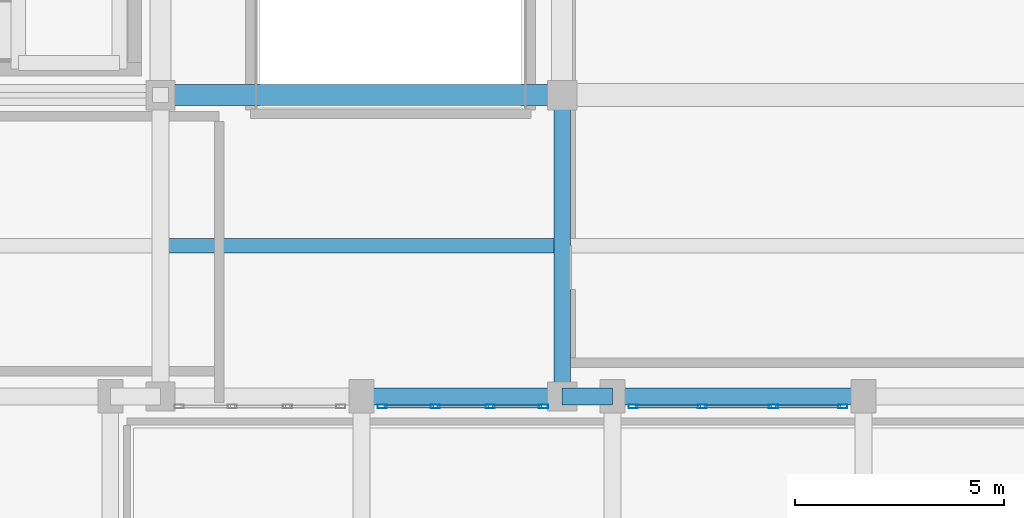
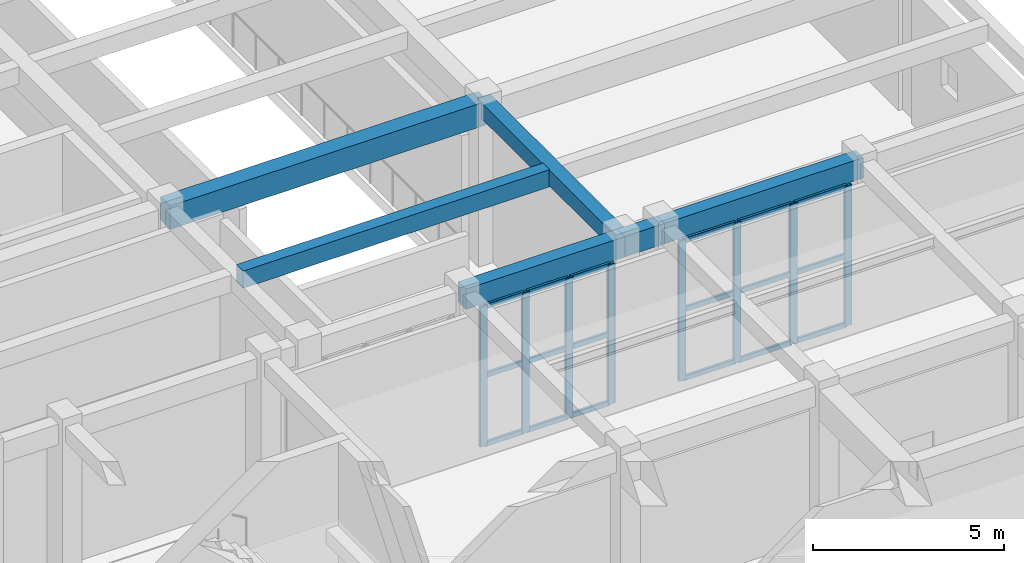
# One storey, part 56 of 98: 26 members, 6 beams, 2 elements without a shape of their own.
"""IFC4 building model written with IfcOpenShell, lengths in metres."""

from ifc_helpers import new_model, si_unit, direction, frame, origin, origin_2d, place, context, subcontext, project, spatial, rectangle, hollow_rectangle, extrude, material, layer, layer_set, material_profile, profile_set, type_object, element, aggregate, save


model = new_model("IFC4")

# Units and contexts
model_context = context("Model", 3, precision=1e-05, world=origin(), true_north=direction((0.0, 1.0)))
body_context = subcontext(model_context, "Body", "Model", "MODEL_VIEW")
ifc_project = project(units=[si_unit("LENGTHUNIT", "METRE"), si_unit("AREAUNIT", "SQUARE_METRE"), si_unit("VOLUMEUNIT", "CUBIC_METRE"), si_unit("PLANEANGLEUNIT", "RADIAN"), si_unit("MASSUNIT", "GRAM", prefix="KILO")], contexts=[model_context])

# Site, building, storey
site_placement = place(None, origin())
site = spatial("IfcSite", under=ifc_project, at=site_placement, CompositionType="ELEMENT")
building_placement = place(site_placement, origin())
building = spatial("IfcBuilding", under=site, at=building_placement, Name="Tarnavel Promenade Courthouse", CompositionType="ELEMENT")
storey_placement = place(building_placement, origin())
storey = spatial("IfcBuildingStorey", under=building, at=storey_placement, Name="L01", CompositionType="ELEMENT", Elevation=0.0)

# Beams
ifc_material_1 = material(Name="Concrete C40/50", Category="concrete")
ifc_material_profile_1 = material_profile(ifc_material_1, rectangle(XDim=0.35009765625, YDim=0.550048828125, at=origin_2d()), Name="PT 350x550")
ifc_profile_set_1 = profile_set([ifc_material_profile_1], Name="Concrete C40/50")
beam_type_1 = type_object("IfcBeamType", Name="Concrete C40/50 BM-PT-350x550 (PT 350x550)", PredefinedType="JOIST", material=ifc_profile_set_1)
beam_1_placement = place(storey_placement, frame((139.3701171875, 70.800048828125, 4.860107421875), z_axis=(1.0, 0.0, 0.0), x_axis=(0.0, 1.0, 0.0)))
element("IfcBeam", 1, at=beam_1_placement, inside=storey, type_object=beam_type_1, Name="L01 Secondary Floor Rib 0944", PredefinedType="JOIST", context=body_context, shape_type="SweptSolid", body=[
    extrude(rectangle(XDim=0.35009765625, YDim=0.550048828125, at=origin_2d()), origin(), (0.0, 0.0, 1.0), 9.259765625),
])
ifc_material_profile_2 = material_profile(ifc_material_1, rectangle(XDim=0.39990234375, YDim=0.5, at=origin_2d()), Name="RC 400x500")
ifc_profile_set_2 = profile_set([ifc_material_profile_2], Name="Concrete C40/50")
beam_type_2 = type_object("IfcBeamType", Name="Concrete C40/50 BM-RC-400x500 (RC 400x500)", PredefinedType="BEAM", material=ifc_profile_set_2)
beam_2_placement = place(storey_placement, frame((148.800048828125, 67.199951171875, 4.885009765625), z_axis=(0.0, 1.0, 0.0), x_axis=(-1.0, 0.0, 0.0)))
element("IfcBeam", 2, at=beam_2_placement, inside=storey, type_object=beam_type_2, Name="L01 Transverse Girder 0868", PredefinedType="BEAM", context=body_context, shape_type="SweptSolid", body=[
    extrude(rectangle(XDim=0.39990234375, YDim=0.5, at=origin_2d()), origin(), (0.0, 0.0, 1.0), 7.199951171875),
])
ifc_material_profile_3 = material_profile(ifc_material_1, rectangle(XDim=0.39990234375, YDim=0.64990234375, at=origin_2d()), Name="RC 400x650")
ifc_profile_set_3 = profile_set([ifc_material_profile_3], Name="Concrete C40/50")
beam_type_3 = type_object("IfcBeamType", Name="Concrete C40/50 BM-RC-400x650 (RC 400x650)", PredefinedType="BEAM", material=ifc_profile_set_3)
beam_3_placement = place(storey_placement, frame((144.0, 67.199951171875, 4.81005859375), z_axis=(1.0, 0.0, 0.0), x_axis=(0.0, 1.0, 0.0)))
element("IfcBeam", 3, at=beam_3_placement, inside=storey, type_object=beam_type_3, Name="L01 Primary Longitudinal Beam 0656", PredefinedType="BEAM", context=body_context, shape_type="SweptSolid", body=[
    extrude(rectangle(XDim=0.39990234375, YDim=0.64990234375, at=origin_2d()), origin(), (0.0, 0.0, 1.0), 4.800048828125),
])
beam_4_placement = place(storey_placement, frame((148.800048828125, 67.199951171875, 4.81005859375), z_axis=(1.0, 0.0, 0.0), x_axis=(0.0, 1.0, 0.0)))
element("IfcBeam", 4, at=beam_4_placement, inside=storey, type_object=beam_type_3, Name="L01 Primary Longitudinal Beam 0657", PredefinedType="BEAM", context=body_context, shape_type="SweptSolid", body=[
    extrude(rectangle(XDim=0.39990234375, YDim=0.64990234375, at=origin_2d()), origin(), (0.0, 0.0, 1.0), 1.199951171875),
])
beam_5_placement = place(storey_placement, frame((150.0, 67.199951171875, 4.81005859375), z_axis=(1.0, 0.0, 0.0), x_axis=(0.0, 1.0, 0.0)))
element("IfcBeam", 5, at=beam_5_placement, inside=storey, type_object=beam_type_3, Name="L01 Primary Longitudinal Beam 0658", PredefinedType="BEAM", context=body_context, shape_type="SweptSolid", body=[
    extrude(rectangle(XDim=0.39990234375, YDim=0.64990234375, at=origin_2d()), origin(), (0.0, 0.0, 1.0), 6.0),
])
ifc_material_profile_4 = material_profile(ifc_material_1, rectangle(XDim=0.5, YDim=0.75, at=origin_2d()), Name="RC 500x750")
ifc_profile_set_4 = profile_set([ifc_material_profile_4], Name="Concrete C40/50")
beam_type_4 = type_object("IfcBeamType", Name="Concrete C40/50 BM-RC-500x750 (RC 500x750)", PredefinedType="T_BEAM", material=ifc_profile_set_4)
beam_6_placement = place(storey_placement, frame((139.199951171875, 74.39990234375, 4.760009765625), z_axis=(1.0, 0.0, 0.0), x_axis=(0.0, 1.0, 0.0)))
element("IfcBeam", 6, at=beam_6_placement, inside=storey, type_object=beam_type_4, Name="L01 Primary Longitudinal Beam 0675", PredefinedType="T_BEAM", context=body_context, shape_type="SweptSolid", body=[
    extrude(rectangle(XDim=0.5, YDim=0.75, at=origin_2d()), origin(), (0.0, 0.0, 1.0), 9.60009765625),
])

# Curtain wall, members
ifc_material_2 = material(Name="Thermally Broken Anodised Aluminium Curtain Wall System", Category="aluminium")
ifc_layer = layer(ifc_material_2, 0.199951171875)
ifc_layer_set = layer_set([ifc_layer], Name="Thermally Broken Anodised Aluminium Curtain Wall System")
curtain_wall_type = type_object("IfcCurtainWallType", Name="Thermally Broken Aluminium Triple-Glazed Curtain Wall CW-FOYER", PredefinedType="NOTDEFINED", material=ifc_layer_set)
curtain_wall_1_placement = place(storey_placement, origin())
curtain_wall_1 = element("IfcCurtainWall", 7, at=curtain_wall_1_placement, inside=storey, type_object=curtain_wall_type, Name="L01 Ceremonial North Cloister Curtain Wall 165", PredefinedType="NOTDEFINED")
ifc_material_3 = material(Name="Thermally Broken Anodised Aluminium Frame", Category="aluminium")
ifc_material_profile_5 = material_profile(ifc_material_3, hollow_rectangle(XDim=0.090087890625, YDim=0.219970703125, WallThickness=0.0048828125, InnerFilletRadius=0.0048828125, OuterFilletRadius=0.010009765625, at=origin_2d()), Name="CWM 220x90x5")
ifc_profile_set_5 = profile_set([ifc_material_profile_5], Name="Thermally Broken Anodised Aluminium Frame")
member_type_1 = type_object("IfcMemberType", Name="Thermally Broken Anodised Aluminium CWM-175 (CWM 220x90x5)", PredefinedType="MULLION", material=ifc_profile_set_5)
member_1_placement = place(storey_placement, frame((148.35498046875, 66.9599609375, 0.0), z_axis=(0.0, 0.0, 1.0), x_axis=(0.0, -1.0, 0.0)))
member_1 = element("IfcMember", 8, at=member_1_placement, type_object=member_type_1, Name="CW-04 mullion 1", PredefinedType="MULLION", context=body_context, shape_type="SweptSolid", body=[
    extrude(hollow_rectangle(XDim=0.090087890625, YDim=0.219970703125, WallThickness=0.0048828125, InnerFilletRadius=0.0048828125, OuterFilletRadius=0.010009765625, at=origin_2d()), origin(), (0.0, 0.0, 1.0), 4.469970703125),
])
member_2_placement = place(storey_placement, frame((147.083251953125, 66.9599609375, 0.0), z_axis=(0.0, 0.0, 1.0), x_axis=(0.0, -1.0, 0.0)))
member_2 = element("IfcMember", 9, at=member_2_placement, type_object=member_type_1, Name="CW-04 mullion 2", PredefinedType="MULLION", context=body_context, shape_type="SweptSolid", body=[
    extrude(hollow_rectangle(XDim=0.090087890625, YDim=0.219970703125, WallThickness=0.0048828125, InnerFilletRadius=0.0048828125, OuterFilletRadius=0.010009765625, at=origin_2d()), origin(), (0.0, 0.0, 1.0), 4.469970703125),
])
member_3_placement = place(storey_placement, frame((145.7666015625, 66.9599609375, 0.0), z_axis=(0.0, 0.0, 1.0), x_axis=(0.0, -1.0, 0.0)))
member_3 = element("IfcMember", 10, at=member_3_placement, type_object=member_type_1, Name="CW-04 mullion 3", PredefinedType="MULLION", context=body_context, shape_type="SweptSolid", body=[
    extrude(hollow_rectangle(XDim=0.090087890625, YDim=0.219970703125, WallThickness=0.0048828125, InnerFilletRadius=0.0048828125, OuterFilletRadius=0.010009765625, at=origin_2d()), origin(), (0.0, 0.0, 1.0), 4.469970703125),
])
member_4_placement = place(storey_placement, frame((144.4951171875, 66.9599609375, 0.0), z_axis=(0.0, 0.0, 1.0), x_axis=(0.0, -1.0, 0.0)))
member_4 = element("IfcMember", 11, at=member_4_placement, type_object=member_type_1, Name="CW-04 mullion 4", PredefinedType="MULLION", context=body_context, shape_type="SweptSolid", body=[
    extrude(hollow_rectangle(XDim=0.090087890625, YDim=0.219970703125, WallThickness=0.0048828125, InnerFilletRadius=0.0048828125, OuterFilletRadius=0.010009765625, at=origin_2d()), origin(), (0.0, 0.0, 1.0), 4.469970703125),
])

curtain_wall_2_placement = place(storey_placement, origin())
curtain_wall_2 = element("IfcCurtainWall", 12, at=curtain_wall_2_placement, inside=storey, type_object=curtain_wall_type, Name="L01 Ceremonial North Cloister Curtain Wall 166", PredefinedType="NOTDEFINED")
member_5_placement = place(storey_placement, frame((155.5048828125, 66.9599609375, 0.0), z_axis=(0.0, 0.0, 1.0), x_axis=(0.0, -1.0, 0.0)))
member_5 = element("IfcMember", 13, at=member_5_placement, type_object=member_type_1, Name="CW-04 mullion 1", PredefinedType="MULLION", context=body_context, shape_type="SweptSolid", body=[
    extrude(hollow_rectangle(XDim=0.090087890625, YDim=0.219970703125, WallThickness=0.0048828125, InnerFilletRadius=0.0048828125, OuterFilletRadius=0.010009765625, at=origin_2d()), origin(), (0.0, 0.0, 1.0), 4.469970703125),
])
member_6_placement = place(storey_placement, frame((153.85009765625, 66.9599609375, 0.0), z_axis=(0.0, 0.0, 1.0), x_axis=(0.0, -1.0, 0.0)))
member_6 = element("IfcMember", 14, at=member_6_placement, type_object=member_type_1, Name="CW-04 mullion 2", PredefinedType="MULLION", context=body_context, shape_type="SweptSolid", body=[
    extrude(hollow_rectangle(XDim=0.090087890625, YDim=0.219970703125, WallThickness=0.0048828125, InnerFilletRadius=0.0048828125, OuterFilletRadius=0.010009765625, at=origin_2d()), origin(), (0.0, 0.0, 1.0), 4.469970703125),
])
member_7_placement = place(storey_placement, frame((152.14990234375, 66.9599609375, 0.0), z_axis=(0.0, 0.0, 1.0), x_axis=(0.0, -1.0, 0.0)))
member_7 = element("IfcMember", 15, at=member_7_placement, type_object=member_type_1, Name="CW-04 mullion 3", PredefinedType="MULLION", context=body_context, shape_type="SweptSolid", body=[
    extrude(hollow_rectangle(XDim=0.090087890625, YDim=0.219970703125, WallThickness=0.0048828125, InnerFilletRadius=0.0048828125, OuterFilletRadius=0.010009765625, at=origin_2d()), origin(), (0.0, 0.0, 1.0), 4.469970703125),
])
member_8_placement = place(storey_placement, frame((150.4951171875, 66.9599609375, 0.0), z_axis=(0.0, 0.0, 1.0), x_axis=(0.0, -1.0, 0.0)))
member_8 = element("IfcMember", 16, at=member_8_placement, type_object=member_type_1, Name="CW-04 mullion 4", PredefinedType="MULLION", context=body_context, shape_type="SweptSolid", body=[
    extrude(hollow_rectangle(XDim=0.090087890625, YDim=0.219970703125, WallThickness=0.0048828125, InnerFilletRadius=0.0048828125, OuterFilletRadius=0.010009765625, at=origin_2d()), origin(), (0.0, 0.0, 1.0), 4.469970703125),
])

# Member
ifc_material_profile_6 = material_profile(ifc_material_3, hollow_rectangle(XDim=0.080078125, YDim=0.159912109375, WallThickness=0.0048828125, InnerFilletRadius=0.0048828125, OuterFilletRadius=0.010009765625, at=origin_2d()), Name="CWT 160x80x5")
ifc_profile_set_6 = profile_set([ifc_material_profile_6], Name="Thermally Broken Anodised Aluminium Frame")
member_type_2 = type_object("IfcMemberType", Name="Thermally Broken Anodised Aluminium CWT-145 (CWT 160x80x5)", PredefinedType="USERDEFINED", material=ifc_profile_set_6)
member_9_placement = place(storey_placement, frame((148.31005859375, 66.9599609375, 0.0400390625), z_axis=(-1.0, 0.0, 0.0), x_axis=(0.0, -1.0, 0.0)))
member_9 = element("IfcMember", 17, at=member_9_placement, type_object=member_type_2, Name="CW-04 transom 1.1", ObjectType="TRANSOM", PredefinedType="USERDEFINED", context=body_context, shape_type="SweptSolid", body=[
    extrude(hollow_rectangle(XDim=0.080078125, YDim=0.159912109375, WallThickness=0.0048828125, InnerFilletRadius=0.0048828125, OuterFilletRadius=0.010009765625, at=origin_2d()), origin(), (0.0, 0.0, 1.0), 1.181640625),
])

member_10_placement = place(storey_placement, frame((148.31005859375, 66.9599609375, 2.235107421875), z_axis=(-1.0, 0.0, 0.0), x_axis=(0.0, -1.0, 0.0)))
member_10 = element("IfcMember", 18, at=member_10_placement, type_object=member_type_2, Name="CW-04 transom 1.2", ObjectType="TRANSOM", PredefinedType="USERDEFINED", context=body_context, shape_type="SweptSolid", body=[
    extrude(hollow_rectangle(XDim=0.080078125, YDim=0.159912109375, WallThickness=0.0048828125, InnerFilletRadius=0.0048828125, OuterFilletRadius=0.010009765625, at=origin_2d()), origin(), (0.0, 0.0, 1.0), 1.181640625),
])

member_11_placement = place(storey_placement, frame((148.31005859375, 66.9599609375, 4.429931640625), z_axis=(-1.0, 0.0, 0.0), x_axis=(0.0, -1.0, 0.0)))
member_11 = element("IfcMember", 19, at=member_11_placement, type_object=member_type_2, Name="CW-04 transom 1.3", ObjectType="TRANSOM", PredefinedType="USERDEFINED", context=body_context, shape_type="SweptSolid", body=[
    extrude(hollow_rectangle(XDim=0.080078125, YDim=0.159912109375, WallThickness=0.0048828125, InnerFilletRadius=0.0048828125, OuterFilletRadius=0.010009765625, at=origin_2d()), origin(), (0.0, 0.0, 1.0), 1.181640625),
])

member_12_placement = place(storey_placement, frame((147.038330078125, 66.9599609375, 0.0400390625), z_axis=(-1.0, 0.0, 0.0), x_axis=(0.0, -1.0, 0.0)))
member_12 = element("IfcMember", 20, at=member_12_placement, type_object=member_type_2, Name="CW-04 transom 2.1", ObjectType="TRANSOM", PredefinedType="USERDEFINED", context=body_context, shape_type="SweptSolid", body=[
    extrude(hollow_rectangle(XDim=0.080078125, YDim=0.159912109375, WallThickness=0.0048828125, InnerFilletRadius=0.0048828125, OuterFilletRadius=0.010009765625, at=origin_2d()), origin(), (0.0, 0.0, 1.0), 1.2265625),
])

member_13_placement = place(storey_placement, frame((147.038330078125, 66.9599609375, 2.235107421875), z_axis=(-1.0, 0.0, 0.0), x_axis=(0.0, -1.0, 0.0)))
member_13 = element("IfcMember", 21, at=member_13_placement, type_object=member_type_2, Name="CW-04 transom 2.2", ObjectType="TRANSOM", PredefinedType="USERDEFINED", context=body_context, shape_type="SweptSolid", body=[
    extrude(hollow_rectangle(XDim=0.080078125, YDim=0.159912109375, WallThickness=0.0048828125, InnerFilletRadius=0.0048828125, OuterFilletRadius=0.010009765625, at=origin_2d()), origin(), (0.0, 0.0, 1.0), 1.2265625),
])

member_14_placement = place(storey_placement, frame((147.038330078125, 66.9599609375, 4.429931640625), z_axis=(-1.0, 0.0, 0.0), x_axis=(0.0, -1.0, 0.0)))
member_14 = element("IfcMember", 22, at=member_14_placement, type_object=member_type_2, Name="CW-04 transom 2.3", ObjectType="TRANSOM", PredefinedType="USERDEFINED", context=body_context, shape_type="SweptSolid", body=[
    extrude(hollow_rectangle(XDim=0.080078125, YDim=0.159912109375, WallThickness=0.0048828125, InnerFilletRadius=0.0048828125, OuterFilletRadius=0.010009765625, at=origin_2d()), origin(), (0.0, 0.0, 1.0), 1.2265625),
])

member_15_placement = place(storey_placement, frame((145.7216796875, 66.9599609375, 0.0400390625), z_axis=(-1.0, 0.0, 0.0), x_axis=(0.0, -1.0, 0.0)))
member_15 = element("IfcMember", 23, at=member_15_placement, type_object=member_type_2, Name="CW-04 transom 3.1", ObjectType="TRANSOM", PredefinedType="USERDEFINED", context=body_context, shape_type="SweptSolid", body=[
    extrude(hollow_rectangle(XDim=0.080078125, YDim=0.159912109375, WallThickness=0.0048828125, InnerFilletRadius=0.0048828125, OuterFilletRadius=0.010009765625, at=origin_2d()), origin(), (0.0, 0.0, 1.0), 1.181640625),
])

member_16_placement = place(storey_placement, frame((145.7216796875, 66.9599609375, 2.235107421875), z_axis=(-1.0, 0.0, 0.0), x_axis=(0.0, -1.0, 0.0)))
member_16 = element("IfcMember", 24, at=member_16_placement, type_object=member_type_2, Name="CW-04 transom 3.2", ObjectType="TRANSOM", PredefinedType="USERDEFINED", context=body_context, shape_type="SweptSolid", body=[
    extrude(hollow_rectangle(XDim=0.080078125, YDim=0.159912109375, WallThickness=0.0048828125, InnerFilletRadius=0.0048828125, OuterFilletRadius=0.010009765625, at=origin_2d()), origin(), (0.0, 0.0, 1.0), 1.181640625),
])

member_17_placement = place(storey_placement, frame((145.7216796875, 66.9599609375, 4.429931640625), z_axis=(-1.0, 0.0, 0.0), x_axis=(0.0, -1.0, 0.0)))
member_17 = element("IfcMember", 25, at=member_17_placement, type_object=member_type_2, Name="CW-04 transom 3.3", ObjectType="TRANSOM", PredefinedType="USERDEFINED", context=body_context, shape_type="SweptSolid", body=[
    extrude(hollow_rectangle(XDim=0.080078125, YDim=0.159912109375, WallThickness=0.0048828125, InnerFilletRadius=0.0048828125, OuterFilletRadius=0.010009765625, at=origin_2d()), origin(), (0.0, 0.0, 1.0), 1.181640625),
])

aggregate(curtain_wall_1, [member_1, member_2, member_3, member_4, member_9, member_10, member_11, member_12, member_13, member_14, member_15, member_16, member_17])

member_18_placement = place(storey_placement, frame((155.4599609375, 66.9599609375, 0.0400390625), z_axis=(-1.0, 0.0, 0.0), x_axis=(0.0, -1.0, 0.0)))
member_18 = element("IfcMember", 26, at=member_18_placement, type_object=member_type_2, Name="CW-04 transom 1.1", ObjectType="TRANSOM", PredefinedType="USERDEFINED", context=body_context, shape_type="SweptSolid", body=[
    extrude(hollow_rectangle(XDim=0.080078125, YDim=0.159912109375, WallThickness=0.0048828125, InnerFilletRadius=0.0048828125, OuterFilletRadius=0.010009765625, at=origin_2d()), origin(), (0.0, 0.0, 1.0), 1.56494140625),
])

member_19_placement = place(storey_placement, frame((155.4599609375, 66.9599609375, 2.235107421875), z_axis=(-1.0, 0.0, 0.0), x_axis=(0.0, -1.0, 0.0)))
member_19 = element("IfcMember", 27, at=member_19_placement, type_object=member_type_2, Name="CW-04 transom 1.2", ObjectType="TRANSOM", PredefinedType="USERDEFINED", context=body_context, shape_type="SweptSolid", body=[
    extrude(hollow_rectangle(XDim=0.080078125, YDim=0.159912109375, WallThickness=0.0048828125, InnerFilletRadius=0.0048828125, OuterFilletRadius=0.010009765625, at=origin_2d()), origin(), (0.0, 0.0, 1.0), 1.56494140625),
])

member_20_placement = place(storey_placement, frame((155.4599609375, 66.9599609375, 4.429931640625), z_axis=(-1.0, 0.0, 0.0), x_axis=(0.0, -1.0, 0.0)))
member_20 = element("IfcMember", 28, at=member_20_placement, type_object=member_type_2, Name="CW-04 transom 1.3", ObjectType="TRANSOM", PredefinedType="USERDEFINED", context=body_context, shape_type="SweptSolid", body=[
    extrude(hollow_rectangle(XDim=0.080078125, YDim=0.159912109375, WallThickness=0.0048828125, InnerFilletRadius=0.0048828125, OuterFilletRadius=0.010009765625, at=origin_2d()), origin(), (0.0, 0.0, 1.0), 1.56494140625),
])

member_21_placement = place(storey_placement, frame((153.804931640625, 66.9599609375, 0.0400390625), z_axis=(-1.0, 0.0, 0.0), x_axis=(0.0, -1.0, 0.0)))
member_21 = element("IfcMember", 29, at=member_21_placement, type_object=member_type_2, Name="CW-04 transom 2.1", ObjectType="TRANSOM", PredefinedType="USERDEFINED", context=body_context, shape_type="SweptSolid", body=[
    extrude(hollow_rectangle(XDim=0.080078125, YDim=0.159912109375, WallThickness=0.0048828125, InnerFilletRadius=0.0048828125, OuterFilletRadius=0.010009765625, at=origin_2d()), origin(), (0.0, 0.0, 1.0), 1.60986328125),
])

member_22_placement = place(storey_placement, frame((153.804931640625, 66.9599609375, 2.235107421875), z_axis=(-1.0, 0.0, 0.0), x_axis=(0.0, -1.0, 0.0)))
member_22 = element("IfcMember", 30, at=member_22_placement, type_object=member_type_2, Name="CW-04 transom 2.2", ObjectType="TRANSOM", PredefinedType="USERDEFINED", context=body_context, shape_type="SweptSolid", body=[
    extrude(hollow_rectangle(XDim=0.080078125, YDim=0.159912109375, WallThickness=0.0048828125, InnerFilletRadius=0.0048828125, OuterFilletRadius=0.010009765625, at=origin_2d()), origin(), (0.0, 0.0, 1.0), 1.60986328125),
])

member_23_placement = place(storey_placement, frame((153.804931640625, 66.9599609375, 4.429931640625), z_axis=(-1.0, 0.0, 0.0), x_axis=(0.0, -1.0, 0.0)))
member_23 = element("IfcMember", 31, at=member_23_placement, type_object=member_type_2, Name="CW-04 transom 2.3", ObjectType="TRANSOM", PredefinedType="USERDEFINED", context=body_context, shape_type="SweptSolid", body=[
    extrude(hollow_rectangle(XDim=0.080078125, YDim=0.159912109375, WallThickness=0.0048828125, InnerFilletRadius=0.0048828125, OuterFilletRadius=0.010009765625, at=origin_2d()), origin(), (0.0, 0.0, 1.0), 1.60986328125),
])

member_24_placement = place(storey_placement, frame((152.10498046875, 66.9599609375, 0.0400390625), z_axis=(-1.0, 0.0, 0.0), x_axis=(0.0, -1.0, 0.0)))
member_24 = element("IfcMember", 32, at=member_24_placement, type_object=member_type_2, Name="CW-04 transom 3.1", ObjectType="TRANSOM", PredefinedType="USERDEFINED", context=body_context, shape_type="SweptSolid", body=[
    extrude(hollow_rectangle(XDim=0.080078125, YDim=0.159912109375, WallThickness=0.0048828125, InnerFilletRadius=0.0048828125, OuterFilletRadius=0.010009765625, at=origin_2d()), origin(), (0.0, 0.0, 1.0), 1.56494140625),
])

member_25_placement = place(storey_placement, frame((152.10498046875, 66.9599609375, 2.235107421875), z_axis=(-1.0, 0.0, 0.0), x_axis=(0.0, -1.0, 0.0)))
member_25 = element("IfcMember", 33, at=member_25_placement, type_object=member_type_2, Name="CW-04 transom 3.2", ObjectType="TRANSOM", PredefinedType="USERDEFINED", context=body_context, shape_type="SweptSolid", body=[
    extrude(hollow_rectangle(XDim=0.080078125, YDim=0.159912109375, WallThickness=0.0048828125, InnerFilletRadius=0.0048828125, OuterFilletRadius=0.010009765625, at=origin_2d()), origin(), (0.0, 0.0, 1.0), 1.56494140625),
])

member_26_placement = place(storey_placement, frame((152.10498046875, 66.9599609375, 4.429931640625), z_axis=(-1.0, 0.0, 0.0), x_axis=(0.0, -1.0, 0.0)))
member_26 = element("IfcMember", 34, at=member_26_placement, type_object=member_type_2, Name="CW-04 transom 3.3", ObjectType="TRANSOM", PredefinedType="USERDEFINED", context=body_context, shape_type="SweptSolid", body=[
    extrude(hollow_rectangle(XDim=0.080078125, YDim=0.159912109375, WallThickness=0.0048828125, InnerFilletRadius=0.0048828125, OuterFilletRadius=0.010009765625, at=origin_2d()), origin(), (0.0, 0.0, 1.0), 1.56494140625),
])

aggregate(curtain_wall_2, [member_5, member_6, member_7, member_8, member_18, member_19, member_20, member_21, member_22, member_23, member_24, member_25, member_26])

save(model, "model.ifc")
